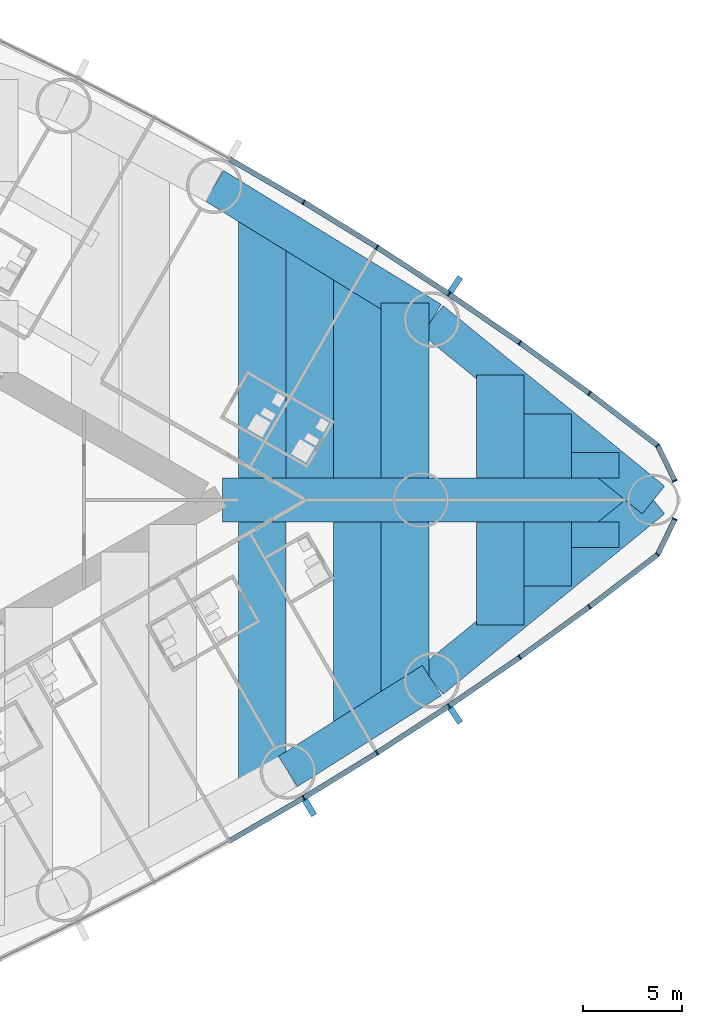
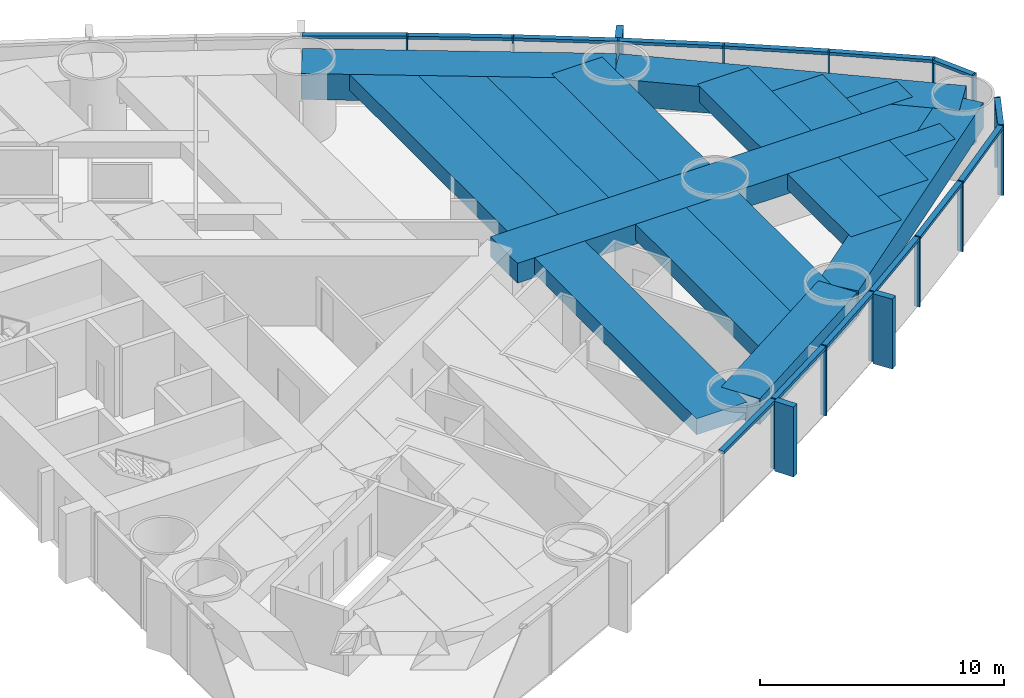
# One storey, part 8 of 18: 31 members, 18 beams, 2 elements without a shape of their own.
"""IFC4 building model written with IfcOpenShell, lengths in metres."""

import ifcopenshell
import ifcopenshell.guid

model = None  # the IFC model being written
_history = None  # IfcOwnerHistory: only IFC2X3 demands one
_inside = {}  # id of a spatial element -> (the spatial element, [elements in it])
_under = {}  # id of a project, library or spatial element -> (it, [spatial elements below it])
_declared = {}  # id of a project -> (the project, [libraries it declares])
_typed = {}  # id of a type object -> (the type object, [elements of that type])
_made_of = {}  # id of a material, layer set ... -> (it, [elements and type objects made of it])


def new_model(schema):
    """Start an empty IFC model of exactly this schema.

    Asked for "IFC4X3", IfcOpenShell would pick the latest addendum, in which some entities
    have other attributes; the version numbers below select the first issue.
    IFC2X3 requires an IfcOwnerHistory on every rooted entity: one is made here for all.
    """
    global model, _history
    if schema == "IFC4X3":
        model = ifcopenshell.file(schema_version=(4, 3, 0, 0))
    else:
        model = ifcopenshell.file(schema=schema)
    _inside.clear()
    _under.clear()
    _declared.clear()
    _typed.clear()
    _made_of.clear()
    _history = None
    if model.schema == "IFC2X3":
        org = make("IfcOrganization", Name="unknown")
        user = make(
            "IfcPersonAndOrganization",
            ThePerson=make("IfcPerson", FamilyName="unknown"),
            TheOrganization=org,
        )
        app = make(
            "IfcApplication",
            ApplicationDeveloper=org,
            Version="unknown",
            ApplicationFullName="unknown",
            ApplicationIdentifier="unknown",
        )
        _history = make(
            "IfcOwnerHistory",
            OwningUser=user,
            OwningApplication=app,
            ChangeAction="ADDED",
            CreationDate=0,
        )
    return model


def make(cls, **values):
    """One entity of the class cls with the attributes given. An attribute that is None is left unset."""
    return model.create_entity(
        cls, **{name: value for name, value in values.items() if value is not None}
    )


def rooted(cls, **values):
    """An entity with a GlobalId (a new one), such as an element, a storey or a relation."""
    return make(cls, GlobalId=ifcopenshell.guid.new(), OwnerHistory=_history, **values)


def si_unit(unit_type, name, prefix=None):
    """IfcSIUnit, for example si_unit("LENGTHUNIT", "METRE", prefix="MILLI")."""
    return make("IfcSIUnit", UnitType=unit_type, Prefix=prefix, Name=name)


def assignment(units):
    """IfcUnitAssignment: the units of a project."""
    return None if units is None else make("IfcUnitAssignment", Units=units)


def point(xyz):
    """IfcCartesianPoint."""
    return None if xyz is None else make("IfcCartesianPoint", Coordinates=xyz)


def direction(xyz):
    """IfcDirection."""
    return None if xyz is None else make("IfcDirection", DirectionRatios=xyz)


def frame(location, z_axis=None, x_axis=None):
    """IfcAxis2Placement3D, a coordinate frame: its origin and axes. An axis left out is left unset."""
    return make(
        "IfcAxis2Placement3D",
        Location=point(location),
        Axis=direction(z_axis),
        RefDirection=direction(x_axis),
    )


def frame_2d(location, x_axis=None):
    """IfcAxis2Placement2D, a coordinate frame in the plane: its origin and x axis."""
    return make(
        "IfcAxis2Placement2D", Location=point(location), RefDirection=direction(x_axis)
    )


def origin():
    """The frame at (0, 0, 0) with its axes left unset."""
    return frame((0.0, 0.0, 0.0))


def origin_2d():
    """The frame at (0, 0) in the plane with its x axis left unset."""
    return frame_2d((0.0, 0.0))


def place(relative_to, where):
    """IfcLocalPlacement: puts the frame where relative to a parent placement (None: the world)."""
    return make(
        "IfcLocalPlacement", PlacementRelTo=relative_to, RelativePlacement=where
    )


def context(
    kind, dimensions, precision=None, world=None, true_north=None, identifier=None
):
    """IfcGeometricRepresentationContext, for example the 3D "Model" context."""
    return make(
        "IfcGeometricRepresentationContext",
        ContextIdentifier=identifier,
        ContextType=kind,
        CoordinateSpaceDimension=dimensions,
        Precision=precision,
        WorldCoordinateSystem=world,
        TrueNorth=true_north,
    )


def subcontext(parent, identifier, kind, view, scale=None):
    """IfcGeometricRepresentationSubContext, for example "Body" below "Model"."""
    return make(
        "IfcGeometricRepresentationSubContext",
        ContextIdentifier=identifier,
        ContextType=kind,
        ParentContext=parent,
        TargetScale=scale,
        TargetView=view,
    )


def project(units=None, contexts=None):
    """IfcProject with its units and contexts."""
    return rooted(
        "IfcProject",
        Name="project",
        RepresentationContexts=contexts,
        UnitsInContext=assignment(units),
    )


def spatial(cls, under=None, at=None, **own):
    """A site, building, storey or space (cls), placed at a placement, below another one or the project."""
    s = rooted(cls, ObjectPlacement=at, **own)
    if under is not None:
        _under.setdefault(under.id(), (under, []))[1].append(s)
    return s


def profile(cls, at=None, kind="AREA", **sizes):
    """A parametric profile (cls). Its sizes go by their IFC names, for example OverallWidth=200.0."""
    return make(cls, ProfileType=kind, Position=at, **sizes)


def rectangle(**sizes):
    """IfcRectangleProfileDef."""
    return profile("IfcRectangleProfileDef", **sizes)


def extrude(swept, where, along, depth):
    """IfcExtrudedAreaSolid: the profile swept, set in the frame where, extruded along a direction by depth."""
    return make(
        "IfcExtrudedAreaSolid",
        SweptArea=swept,
        Position=where,
        ExtrudedDirection=direction(along),
        Depth=depth,
    )


def shape(context_of_items, identifier, shape_type, items):
    """IfcShapeRepresentation: the items that make up one representation, for example the "Body"."""
    return make(
        "IfcShapeRepresentation",
        ContextOfItems=context_of_items,
        RepresentationIdentifier=identifier,
        RepresentationType=shape_type,
        Items=items,
    )


def material(Name=None, Category=None):
    """IfcMaterial."""
    return make("IfcMaterial", Name=Name, Category=Category)


def material_profile(
    of_material, cross_section, Name=None, Category=None, Priority=None
):
    """IfcMaterialProfile: a cross section and its material."""
    return make(
        "IfcMaterialProfile",
        Name=Name,
        Material=of_material,
        Profile=cross_section,
        Priority=Priority,
        Category=Category,
    )


def profile_set(profiles, Name=None, composite=None):
    """IfcMaterialProfileSet."""
    return make(
        "IfcMaterialProfileSet",
        Name=Name,
        MaterialProfiles=profiles,
        CompositeProfile=composite,
    )


def made_of(thing, what):
    """Note that an element or type object is made of a material, layer set ...; save() writes the relation."""
    if what is not None:
        _made_of.setdefault(what.id(), (what, []))[1].append(thing)
    return thing


def type_object(cls, material=None, **own):
    """A type object (cls), such as IfcWallType, which elements share."""
    return made_of(rooted(cls, **own), material)


def element(
    cls,
    number,
    at=None,
    inside=None,
    cuts=None,
    type_object=None,
    material=None,
    context=None,
    identifier="Body",
    shape_type=None,
    held_by="IfcProductDefinitionShape",
    body=None,
    shapes=None,
    **own,
):
    """One element of the class cls, such as IfcWall. Its Tag is "e" and its number.

    at: its placement. inside: the storey or other place that contains it. cuts: it is an
    opening in that element (IfcRelVoidsElement). A single representation is given by context,
    identifier, shape_type and body (its items); several are given by shapes. held_by: the class
    of the entity that holds the representations. save() writes the other relations.
    """
    e = rooted(cls, Tag="e%d" % number, ObjectPlacement=at, **own)
    if body is not None:
        shapes = [shape(context, identifier, shape_type, body)]
    if shapes is not None:
        e.Representation = make(held_by, Representations=shapes)
    if inside is not None:
        _inside.setdefault(inside.id(), (inside, []))[1].append(e)
    if cuts is not None:
        rooted(
            "IfcRelVoidsElement", RelatingBuildingElement=cuts, RelatedOpeningElement=e
        )
    if type_object is not None:
        _typed.setdefault(type_object.id(), (type_object, []))[1].append(e)
    return made_of(e, material)


def aggregate(whole, parts):
    """IfcRelAggregates: a whole, such as a stair, and the parts it consists of."""
    return rooted("IfcRelAggregates", RelatingObject=whole, RelatedObjects=parts)


def save(model, path):
    """Write the relations noted so far, then the file.

    IfcRelAggregates (storeys below a building ...), IfcRelContainedInSpatialStructure (elements
    in a storey), IfcRelDefinesByType, IfcRelAssociatesMaterial and IfcRelDeclares: one each for
    every whole, place, type object, material and project.
    """
    for whole, parts in _under.values():
        aggregate(whole, parts)
    for where, things in _inside.values():
        rooted(
            "IfcRelContainedInSpatialStructure",
            RelatedElements=things,
            RelatingStructure=where,
        )
    for kind, things in _typed.values():
        rooted("IfcRelDefinesByType", RelatedObjects=things, RelatingType=kind)
    for what, things in _made_of.values():
        rooted("IfcRelAssociatesMaterial", RelatedObjects=things, RelatingMaterial=what)
    for by, libraries in _declared.values():
        rooted("IfcRelDeclares", RelatingContext=by, RelatedDefinitions=libraries)
    model.write(path)


model = new_model("IFC4")

# Units and contexts
model_context = context("Model", 3, precision=1e-05, world=origin(), true_north=direction((0.0, 1.0)))
body_context = subcontext(model_context, "Body", "Model", "MODEL_VIEW")
ifc_project = project(units=[si_unit("LENGTHUNIT", "METRE"), si_unit("AREAUNIT", "SQUARE_METRE"), si_unit("VOLUMEUNIT", "CUBIC_METRE"), si_unit("PLANEANGLEUNIT", "RADIAN"), si_unit("MASSUNIT", "GRAM", prefix="KILO")], contexts=[model_context])

# Site, building, storey
site_placement = place(None, origin())
site = spatial("IfcSite", under=ifc_project, at=site_placement, CompositionType="ELEMENT")
building_placement = place(site_placement, origin())
building = spatial("IfcBuilding", under=site, at=building_placement, Name="Lancet Gate Hotel", CompositionType="ELEMENT")
storey_placement = place(building_placement, frame((0.0, 0.0, 49.5)))
storey = spatial("IfcBuildingStorey", under=building, at=storey_placement, Name="L12", CompositionType="ELEMENT", Elevation=49.5)

# Curtain wall, members
ifc_material_1 = material(Name="Aluminium curtain wall", Category="aluminium")
curtain_wall_type = type_object("IfcCurtainWallType", Name="Tower unitised curtain wall", PredefinedType="USERDEFINED", material=ifc_material_1)
curtain_wall_1_placement = place(storey_placement, origin())
curtain_wall_1 = element("IfcCurtainWall", 1, at=curtain_wall_1_placement, inside=storey, type_object=curtain_wall_type, Name="T2 L12 curtain wall 2", ObjectType="UNITISED CURTAIN WALL", PredefinedType="USERDEFINED")
ifc_material_2 = material(Name="Aluminium mullion", Category="aluminium")
ifc_material_profile_1 = material_profile(ifc_material_2, rectangle(XDim=0.06494140625, YDim=0.25, at=origin_2d()), Name="MULLION 65x250")
ifc_profile_set_1 = profile_set([ifc_material_profile_1], Name="Aluminium mullion")
member_type_1 = type_object("IfcMemberType", Name="Aluminium mullion 65x250", PredefinedType="MULLION", material=ifc_profile_set_1)
member_1_placement = place(storey_placement, frame((55.590087890625, -15.03125, 0.0), z_axis=(0.0, 0.0, 1.0), x_axis=(0.858413008828, 0.512959166284, 0.0)))
member_1 = element("IfcMember", 2, at=member_1_placement, type_object=member_type_1, Name="T2 L12 curtain wall 2 mullion 8", PredefinedType="MULLION", context=body_context, shape_type="SweptSolid", body=[
    extrude(rectangle(XDim=0.06494140625, YDim=0.25, at=origin_2d()), origin(), (0.0, 0.0, 1.0), 3.5),
])
member_2_placement = place(storey_placement, frame((59.28515625, -12.7587890625, 0.0), z_axis=(0.0, 0.0, 1.0), x_axis=(0.845079420983, 0.534640788035, 0.0)))
member_2 = element("IfcMember", 3, at=member_2_placement, type_object=member_type_1, Name="T2 L12 curtain wall 2 mullion 9", PredefinedType="MULLION", context=body_context, shape_type="SweptSolid", body=[
    extrude(rectangle(XDim=0.06494140625, YDim=0.25, at=origin_2d()), origin(), (0.0, 0.0, 1.0), 3.5),
])
member_3_placement = place(storey_placement, frame((62.921142578125, -10.393310546875, 0.0), z_axis=(0.0, 0.0, 1.0), x_axis=(0.831198325377, 0.555976028162, 0.0)))
member_3 = element("IfcMember", 4, at=member_3_placement, type_object=member_type_1, Name="T2 L12 curtain wall 2 mullion 10", PredefinedType="MULLION", context=body_context, shape_type="SweptSolid", body=[
    extrude(rectangle(XDim=0.06494140625, YDim=0.25, at=origin_2d()), origin(), (0.0, 0.0, 1.0), 3.5),
])
member_4_placement = place(storey_placement, frame((66.49560546875, -7.935791015625, 0.0), z_axis=(0.0, 0.0, 1.0), x_axis=(0.816778715254, 0.576951064049, 0.0)))
member_4 = element("IfcMember", 5, at=member_4_placement, type_object=member_type_1, Name="T2 L12 curtain wall 2 mullion 11", PredefinedType="MULLION", context=body_context, shape_type="SweptSolid", body=[
    extrude(rectangle(XDim=0.06494140625, YDim=0.25, at=origin_2d()), origin(), (0.0, 0.0, 1.0), 3.5),
])
member_5_placement = place(storey_placement, frame((70.00634765625, -5.388427734375, 0.0), z_axis=(0.0, 0.0, 1.0), x_axis=(0.801829932754, 0.597552306447, 0.0)))
member_5 = element("IfcMember", 6, at=member_5_placement, type_object=member_type_1, Name="T2 L12 curtain wall 2 mullion 12", PredefinedType="MULLION", context=body_context, shape_type="SweptSolid", body=[
    extrude(rectangle(XDim=0.06494140625, YDim=0.25, at=origin_2d()), origin(), (0.0, 0.0, 1.0), 3.5),
])
member_6_placement = place(storey_placement, frame((73.451416015625, -2.752197265625, 0.0), z_axis=(0.0, 0.0, 1.0), x_axis=(0.697983022443, 0.716114306784, 0.0)))
member_6 = element("IfcMember", 7, at=member_6_placement, type_object=member_type_1, Name="T2 L12 curtain wall 2 mullion 13", PredefinedType="MULLION", context=body_context, shape_type="SweptSolid", body=[
    extrude(rectangle(XDim=0.06494140625, YDim=0.25, at=origin_2d()), origin(), (0.0, 0.0, 1.0), 3.5),
])
member_7_placement = place(storey_placement, frame((74.322265625, -0.96044921875, 0.0), z_axis=(0.0, 0.0, 1.0), x_axis=(0.437169070119, 0.899379343843, 0.0)))
member_7 = element("IfcMember", 8, at=member_7_placement, type_object=member_type_1, Name="T2 L12 curtain wall 2 mullion 14", PredefinedType="MULLION", context=body_context, shape_type="SweptSolid", body=[
    extrude(rectangle(XDim=0.06494140625, YDim=0.25, at=origin_2d()), origin(), (0.0, 0.0, 1.0), 3.5),
])

curtain_wall_2_placement = place(storey_placement, origin())
curtain_wall_2 = element("IfcCurtainWall", 9, at=curtain_wall_2_placement, inside=storey, type_object=curtain_wall_type, Name="T2 L12 curtain wall 3", ObjectType="UNITISED CURTAIN WALL", PredefinedType="USERDEFINED")
member_8_placement = place(storey_placement, frame((74.322265625, 0.96044921875, 0.0), z_axis=(0.0, 0.0, 1.0), x_axis=(-0.437169070119, 0.899379343843, 0.0)))
member_8 = element("IfcMember", 10, at=member_8_placement, type_object=member_type_1, Name="T2 L12 curtain wall 3 mullion 1", PredefinedType="MULLION", context=body_context, shape_type="SweptSolid", body=[
    extrude(rectangle(XDim=0.06494140625, YDim=0.25, at=origin_2d()), origin(), (0.0, 0.0, 1.0), 3.5),
])
member_9_placement = place(storey_placement, frame((73.451416015625, 2.752197265625, 0.0), z_axis=(0.0, 0.0, 1.0), x_axis=(-0.697983022443, 0.716114306784, 0.0)))
member_9 = element("IfcMember", 11, at=member_9_placement, type_object=member_type_1, Name="T2 L12 curtain wall 3 mullion 2", PredefinedType="MULLION", context=body_context, shape_type="SweptSolid", body=[
    extrude(rectangle(XDim=0.06494140625, YDim=0.25, at=origin_2d()), origin(), (0.0, 0.0, 1.0), 3.5),
])
member_10_placement = place(storey_placement, frame((70.00634765625, 5.388427734375, 0.0), z_axis=(0.0, 0.0, 1.0), x_axis=(-0.801829932754, 0.597552306447, 0.0)))
member_10 = element("IfcMember", 12, at=member_10_placement, type_object=member_type_1, Name="T2 L12 curtain wall 3 mullion 3", PredefinedType="MULLION", context=body_context, shape_type="SweptSolid", body=[
    extrude(rectangle(XDim=0.06494140625, YDim=0.25, at=origin_2d()), origin(), (0.0, 0.0, 1.0), 3.5),
])
member_11_placement = place(storey_placement, frame((66.49560546875, 7.935791015625, 0.0), z_axis=(0.0, 0.0, 1.0), x_axis=(-0.816778715254, 0.576951064049, 0.0)))
member_11 = element("IfcMember", 13, at=member_11_placement, type_object=member_type_1, Name="T2 L12 curtain wall 3 mullion 4", PredefinedType="MULLION", context=body_context, shape_type="SweptSolid", body=[
    extrude(rectangle(XDim=0.06494140625, YDim=0.25, at=origin_2d()), origin(), (0.0, 0.0, 1.0), 3.5),
])
member_12_placement = place(storey_placement, frame((62.921142578125, 10.393310546875, 0.0), z_axis=(0.0, 0.0, 1.0), x_axis=(-0.831198325377, 0.555976028162, 0.0)))
member_12 = element("IfcMember", 14, at=member_12_placement, type_object=member_type_1, Name="T2 L12 curtain wall 3 mullion 5", PredefinedType="MULLION", context=body_context, shape_type="SweptSolid", body=[
    extrude(rectangle(XDim=0.06494140625, YDim=0.25, at=origin_2d()), origin(), (0.0, 0.0, 1.0), 3.5),
])
member_13_placement = place(storey_placement, frame((59.28515625, 12.7587890625, 0.0), z_axis=(0.0, 0.0, 1.0), x_axis=(-0.845079420983, 0.534640788035, 0.0)))
member_13 = element("IfcMember", 15, at=member_13_placement, type_object=member_type_1, Name="T2 L12 curtain wall 3 mullion 6", PredefinedType="MULLION", context=body_context, shape_type="SweptSolid", body=[
    extrude(rectangle(XDim=0.06494140625, YDim=0.25, at=origin_2d()), origin(), (0.0, 0.0, 1.0), 3.5),
])
member_14_placement = place(storey_placement, frame((55.590087890625, 15.03125, 0.0), z_axis=(0.0, 0.0, 1.0), x_axis=(-0.858413008828, 0.512959166284, 0.0)))
member_14 = element("IfcMember", 16, at=member_14_placement, type_object=member_type_1, Name="T2 L12 curtain wall 3 mullion 7", PredefinedType="MULLION", context=body_context, shape_type="SweptSolid", body=[
    extrude(rectangle(XDim=0.06494140625, YDim=0.25, at=origin_2d()), origin(), (0.0, 0.0, 1.0), 3.5),
])

# Member
ifc_material_3 = material(Name="Aluminium transom", Category="aluminium")
ifc_material_profile_2 = material_profile(ifc_material_3, rectangle(XDim=0.25, YDim=0.14990234375, at=origin_2d()), Name="TRANSOM 250x150")
ifc_profile_set_2 = profile_set([ifc_material_profile_2], Name="Aluminium transom")
member_type_2 = type_object("IfcMemberType", Name="Aluminium transom 250x150", PredefinedType="USERDEFINED", material=ifc_profile_set_2)
member_15_placement = place(storey_placement, frame((51.86669921875, -17.1923828125, 3.425048828125), z_axis=(0.864854571156, 0.502022480324, 0.0), x_axis=(-0.502022480324, 0.864854571156, 0.0)))
member_15 = element("IfcMember", 17, at=member_15_placement, type_object=member_type_2, Name="T2 L12 curtain wall 2 transom 7", ObjectType="TRANSOM", PredefinedType="USERDEFINED", context=body_context, shape_type="SweptSolid", body=[
    extrude(rectangle(XDim=0.25, YDim=0.14990234375, at=origin_2d()), origin(), (0.0, 0.0, 1.0), 4.272705078125),
])

member_16_placement = place(storey_placement, frame((55.617919921875, -15.01416015625, 3.425048828125), z_axis=(0.851815224451, 0.523842365023, 0.0), x_axis=(-0.523842365023, 0.851815224451, 0.0)))
member_16 = element("IfcMember", 18, at=member_16_placement, type_object=member_type_2, Name="T2 L12 curtain wall 2 transom 8", ObjectType="TRANSOM", PredefinedType="USERDEFINED", context=body_context, shape_type="SweptSolid", body=[
    extrude(rectangle(XDim=0.25, YDim=0.14990234375, at=origin_2d()), origin(), (0.0, 0.0, 1.0), 4.272705078125),
])

member_17_placement = place(storey_placement, frame((59.3125, -12.7412109375, 3.425048828125), z_axis=(0.83817850664, 0.545395994674, 0.0), x_axis=(-0.545395994674, 0.83817850664, 0.0)))
member_17 = element("IfcMember", 19, at=member_17_placement, type_object=member_type_2, Name="T2 L12 curtain wall 2 transom 9", ObjectType="TRANSOM", PredefinedType="USERDEFINED", context=body_context, shape_type="SweptSolid", body=[
    extrude(rectangle(XDim=0.25, YDim=0.14990234375, at=origin_2d()), origin(), (0.0, 0.0, 1.0), 4.272705078125),
])

member_18_placement = place(storey_placement, frame((62.94775390625, -10.374755859375, 3.425048828125), z_axis=(0.824071932869, 0.566485171437, 0.0), x_axis=(-0.566485171437, 0.824071932869, 0.0)))
member_18 = element("IfcMember", 20, at=member_18_placement, type_object=member_type_2, Name="T2 L12 curtain wall 2 transom 10", ObjectType="TRANSOM", PredefinedType="USERDEFINED", context=body_context, shape_type="SweptSolid", body=[
    extrude(rectangle(XDim=0.25, YDim=0.14990234375, at=origin_2d()), origin(), (0.0, 0.0, 1.0), 4.272705078125),
])

member_19_placement = place(storey_placement, frame((66.52197265625, -7.916748046875, 3.425048828125), z_axis=(0.809382971085, 0.587281198505, 0.0), x_axis=(-0.587281198505, 0.809382971085, 0.0)))
member_19 = element("IfcMember", 21, at=member_19_placement, type_object=member_type_2, Name="T2 L12 curtain wall 2 transom 11", ObjectType="TRANSOM", PredefinedType="USERDEFINED", context=body_context, shape_type="SweptSolid", body=[
    extrude(rectangle(XDim=0.25, YDim=0.14990234375, at=origin_2d()), origin(), (0.0, 0.0, 1.0), 4.272705078125),
])

member_20_placement = place(storey_placement, frame((70.0322265625, -5.36865234375, 3.425048828125), z_axis=(0.794155062652, 0.607715177089, 0.0), x_axis=(-0.607715177089, 0.794155062652, 0.0)))
member_20 = element("IfcMember", 22, at=member_20_placement, type_object=member_type_2, Name="T2 L12 curtain wall 2 transom 12", ObjectType="TRANSOM", PredefinedType="USERDEFINED", context=body_context, shape_type="SweptSolid", body=[
    extrude(rectangle(XDim=0.25, YDim=0.14990234375, at=origin_2d()), origin(), (0.0, 0.0, 1.0), 4.27294921875),
])

member_21_placement = place(storey_placement, frame((73.465576171875, -2.72314453125, 3.425048828125), z_axis=(0.437103060611, 0.899411426659, 0.0), x_axis=(-0.899411426659, 0.437103060611, 0.0)))
member_21 = element("IfcMember", 23, at=member_21_placement, type_object=member_type_2, Name="T2 L12 curtain wall 2 transom 13", ObjectType="TRANSOM", PredefinedType="USERDEFINED", context=body_context, shape_type="SweptSolid", body=[
    extrude(rectangle(XDim=0.25, YDim=0.14990234375, at=origin_2d()), origin(), (0.0, 0.0, 1.0), 1.927490234375),
])

member_22_placement = place(storey_placement, frame((74.30810546875, 0.989501953125, 3.425048828125), z_axis=(-0.437103060611, 0.899411426659, 0.0), x_axis=(-0.899411426659, -0.437103060611, 0.0)))
member_22 = element("IfcMember", 24, at=member_22_placement, type_object=member_type_2, Name="T2 L12 curtain wall 3 transom 1", ObjectType="TRANSOM", PredefinedType="USERDEFINED", context=body_context, shape_type="SweptSolid", body=[
    extrude(rectangle(XDim=0.25, YDim=0.14990234375, at=origin_2d()), origin(), (0.0, 0.0, 1.0), 1.927490234375),
])

member_23_placement = place(storey_placement, frame((73.425537109375, 2.77197265625, 3.425048828125), z_axis=(-0.794155062652, 0.607715177089, 0.0), x_axis=(-0.607715177089, -0.794155062652, 0.0)))
member_23 = element("IfcMember", 25, at=member_23_placement, type_object=member_type_2, Name="T2 L12 curtain wall 3 transom 2", ObjectType="TRANSOM", PredefinedType="USERDEFINED", context=body_context, shape_type="SweptSolid", body=[
    extrude(rectangle(XDim=0.25, YDim=0.14990234375, at=origin_2d()), origin(), (0.0, 0.0, 1.0), 4.27294921875),
])

member_24_placement = place(storey_placement, frame((69.980224609375, 5.407470703125, 3.425048828125), z_axis=(-0.809382971085, 0.587281198505, 0.0), x_axis=(-0.587281198505, -0.809382971085, 0.0)))
member_24 = element("IfcMember", 26, at=member_24_placement, type_object=member_type_2, Name="T2 L12 curtain wall 3 transom 3", ObjectType="TRANSOM", PredefinedType="USERDEFINED", context=body_context, shape_type="SweptSolid", body=[
    extrude(rectangle(XDim=0.25, YDim=0.14990234375, at=origin_2d()), origin(), (0.0, 0.0, 1.0), 4.272705078125),
])

member_25_placement = place(storey_placement, frame((66.46875, 7.954345703125, 3.425048828125), z_axis=(-0.824071932869, 0.566485171437, 0.0), x_axis=(-0.566485171437, -0.824071932869, 0.0)))
member_25 = element("IfcMember", 27, at=member_25_placement, type_object=member_type_2, Name="T2 L12 curtain wall 3 transom 4", ObjectType="TRANSOM", PredefinedType="USERDEFINED", context=body_context, shape_type="SweptSolid", body=[
    extrude(rectangle(XDim=0.25, YDim=0.14990234375, at=origin_2d()), origin(), (0.0, 0.0, 1.0), 4.272705078125),
])

member_26_placement = place(storey_placement, frame((62.893798828125, 10.410888671875, 3.425048828125), z_axis=(-0.83817850664, 0.545395994674, 0.0), x_axis=(-0.545395994674, -0.83817850664, 0.0)))
member_26 = element("IfcMember", 28, at=member_26_placement, type_object=member_type_2, Name="T2 L12 curtain wall 3 transom 5", ObjectType="TRANSOM", PredefinedType="USERDEFINED", context=body_context, shape_type="SweptSolid", body=[
    extrude(rectangle(XDim=0.25, YDim=0.14990234375, at=origin_2d()), origin(), (0.0, 0.0, 1.0), 4.272705078125),
])

member_27_placement = place(storey_placement, frame((59.257568359375, 12.77587890625, 3.425048828125), z_axis=(-0.851815224451, 0.523842365023, 0.0), x_axis=(-0.523842365023, -0.851815224451, 0.0)))
member_27 = element("IfcMember", 29, at=member_27_placement, type_object=member_type_2, Name="T2 L12 curtain wall 3 transom 6", ObjectType="TRANSOM", PredefinedType="USERDEFINED", context=body_context, shape_type="SweptSolid", body=[
    extrude(rectangle(XDim=0.25, YDim=0.14990234375, at=origin_2d()), origin(), (0.0, 0.0, 1.0), 4.272705078125),
])

member_28_placement = place(storey_placement, frame((55.56201171875, 15.04736328125, 3.425048828125), z_axis=(-0.864854571156, 0.502022480324, 0.0), x_axis=(-0.502022480324, -0.864854571156, 0.0)))
member_28 = element("IfcMember", 30, at=member_28_placement, type_object=member_type_2, Name="T2 L12 curtain wall 3 transom 7", ObjectType="TRANSOM", PredefinedType="USERDEFINED", context=body_context, shape_type="SweptSolid", body=[
    extrude(rectangle(XDim=0.25, YDim=0.14990234375, at=origin_2d()), origin(), (0.0, 0.0, 1.0), 4.272705078125),
])

# Beams
ifc_material_4 = material(Name="Concrete C50/60", Category="concrete")
ifc_material_profile_3 = material_profile(ifc_material_4, rectangle(XDim=1.800048828125, YDim=1.300048828125, at=origin_2d()), Name="RC 1800x1300")
ifc_profile_set_3 = profile_set([ifc_material_profile_3], Name="Concrete C50/60")
beam_type_1 = type_object("IfcBeamType", Name="Edge beam RC 1800x1300", PredefinedType="SPANDREL", material=ifc_profile_set_3)
beam_1_placement = place(storey_placement, frame((54.795166015625, -13.70068359375, 2.60009765625), z_axis=(0.845078312276, 0.534642540508, 0.0), x_axis=(-0.534642540508, 0.845078312276, 0.0)))
element("IfcBeam", 31, at=beam_1_placement, inside=storey, type_object=beam_type_1, Name="T2 edge beam EB1 L12", PredefinedType="SPANDREL", context=body_context, shape_type="SweptSolid", body=[
    extrude(rectangle(XDim=1.800048828125, YDim=1.300048828125, at=origin_2d()), origin(), (0.0, 0.0, 1.0), 8.595947265625),
])
for number, where, z_axis, x_axis, name in (
    (32, (62.059326171875, -9.10498046875, 2.60009765625), (0.775390970005, 0.631481467372, 0.0), (-0.631481467372, 0.775390970005, 0.0), "T2 edge beam EB1 L12"),
    (33, (73.2392578125, 0.0, 2.60009765625), (-0.775390970005, 0.631481467372, 0.0), (-0.631481467372, -0.775390970005, 0.0), "T2 edge beam EB1 L12"),
):
    element("IfcBeam", number, at=place(storey_placement, frame(where, z_axis=z_axis, x_axis=x_axis)), inside=storey, type_object=beam_type_1, Name=name, PredefinedType="SPANDREL", context=body_context, shape_type="SweptSolid", body=[
        extrude(rectangle(XDim=1.800048828125, YDim=1.300048828125, at=origin_2d()), origin(), (0.0, 0.0, 1.0), 14.41845703125),
    ])
beam_2_placement = place(storey_placement, frame((62.059326171875, 9.10498046875, 2.60009765625), z_axis=(-0.851815628025, 0.523841708775, 0.0), x_axis=(-0.523841708775, -0.851815628025, 0.0)))
element("IfcBeam", 34, at=beam_2_placement, inside=storey, type_object=beam_type_1, Name="T2 edge beam EB1 L12", PredefinedType="SPANDREL", context=body_context, shape_type="SweptSolid", body=[
    extrude(rectangle(XDim=1.800048828125, YDim=1.300048828125, at=origin_2d()), origin(), (0.0, 0.0, 1.0), 12.89208984375),
])

# Member
ifc_material_5 = material(Name="Precast concrete C50/60", Category="concrete")
ifc_material_profile_4 = material_profile(ifc_material_5, rectangle(XDim=0.300048828125, YDim=0.89990234375, at=origin_2d()), Name="FIN 300x900")
ifc_profile_set_4 = profile_set([ifc_material_profile_4], Name="Precast concrete C50/60")
member_type_3 = type_object("IfcMemberType", Name="Exposed concrete fin 300x900", PredefinedType="USERDEFINED", material=ifc_profile_set_4)
member_29_placement = place(storey_placement, frame((55.88525390625, -15.524658203125, 0.0), z_axis=(0.0, 0.0, 1.0), x_axis=(0.858413008828, 0.512959166284, 0.0)))
member_29 = element("IfcMember", 35, at=member_29_placement, type_object=member_type_3, Name="T2 L12 curtain wall 2 fin 8", ObjectType="FIN", PredefinedType="USERDEFINED", context=body_context, shape_type="SweptSolid", body=[
    extrude(rectangle(XDim=0.300048828125, YDim=0.89990234375, at=origin_2d()), origin(), (0.0, 0.0, 1.0), 3.5),
])

member_30_placement = place(storey_placement, frame((63.24072265625, -10.87109375, 0.0), z_axis=(0.0, 0.0, 1.0), x_axis=(0.831198325377, 0.555976028162, 0.0)))
member_30 = element("IfcMember", 36, at=member_30_placement, type_object=member_type_3, Name="T2 L12 curtain wall 2 fin 10", ObjectType="FIN", PredefinedType="USERDEFINED", context=body_context, shape_type="SweptSolid", body=[
    extrude(rectangle(XDim=0.300048828125, YDim=0.89990234375, at=origin_2d()), origin(), (0.0, 0.0, 1.0), 3.5),
])

aggregate(curtain_wall_1, [member_1, member_29, member_2, member_3, member_30, member_4, member_5, member_6, member_7, member_15, member_16, member_17, member_18, member_19, member_20, member_21])

member_31_placement = place(storey_placement, frame((63.24072265625, 10.87109375, 0.0), z_axis=(0.0, 0.0, 1.0), x_axis=(-0.831198325377, 0.555976028162, 0.0)))
member_31 = element("IfcMember", 37, at=member_31_placement, type_object=member_type_3, Name="T2 L12 curtain wall 3 fin 5", ObjectType="FIN", PredefinedType="USERDEFINED", context=body_context, shape_type="SweptSolid", body=[
    extrude(rectangle(XDim=0.300048828125, YDim=0.89990234375, at=origin_2d()), origin(), (0.0, 0.0, 1.0), 3.5),
])

aggregate(curtain_wall_2, [member_8, member_9, member_10, member_11, member_12, member_31, member_13, member_14, member_22, member_23, member_24, member_25, member_26, member_27, member_28])

# Beams
ifc_material_6 = material(Name="Concrete C50/60", Category="concrete")
ifc_material_profile_5 = material_profile(ifc_material_6, rectangle(XDim=2.39990234375, YDim=0.800048828125, at=origin_2d()), Name="RC 2400x800")
ifc_profile_set_5 = profile_set([ifc_material_profile_5], Name="Concrete C50/60")
beam_type_2 = type_object("IfcBeamType", Name="Floor beam RC 2400x800", PredefinedType="BEAM", material=ifc_profile_set_5)
beam_3_placement = place(storey_placement, frame((53.502197265625, -14.40771484375, 2.85009765625), z_axis=(0.0, 1.0, 0.0), x_axis=(-1.0, 0.0, 0.0)))
element("IfcBeam", 38, at=beam_3_placement, inside=storey, type_object=beam_type_2, Name="T2 floor beam F16S L12", PredefinedType="BEAM", context=body_context, shape_type="SweptSolid", body=[
    extrude(rectangle(XDim=2.39990234375, YDim=0.800048828125, at=origin_2d()), origin(), (0.0, 0.0, 1.0), 13.3076171875),
])
beam_4_placement = place(storey_placement, frame((53.502197265625, 1.10009765625, 2.85009765625), z_axis=(0.0, 1.0, 0.0), x_axis=(-1.0, 0.0, 0.0)))
element("IfcBeam", 39, at=beam_4_placement, inside=storey, type_object=beam_type_2, Name="T2 floor beam F17N L12", PredefinedType="BEAM", context=body_context, shape_type="SweptSolid", body=[
    extrude(rectangle(XDim=2.39990234375, YDim=0.800048828125, at=origin_2d()), origin(), (0.0, 0.0, 1.0), 13.26708984375),
])
beam_5_placement = place(storey_placement, frame((55.90234375, 1.10009765625, 2.85009765625), z_axis=(0.0, 1.0, 0.0), x_axis=(-1.0, 0.0, 0.0)))
element("IfcBeam", 40, at=beam_5_placement, inside=storey, type_object=beam_type_2, Name="T2 floor beam F18N L12", PredefinedType="BEAM", context=body_context, shape_type="SweptSolid", body=[
    extrude(rectangle(XDim=2.39990234375, YDim=0.800048828125, at=origin_2d()), origin(), (0.0, 0.0, 1.0), 11.791259765625),
])
beam_6_placement = place(storey_placement, frame((58.30224609375, -11.48193359375, 2.85009765625), z_axis=(0.0, 1.0, 0.0), x_axis=(-1.0, 0.0, 0.0)))
element("IfcBeam", 41, at=beam_6_placement, inside=storey, type_object=beam_type_2, Name="T2 floor beam F19S L12", PredefinedType="BEAM", context=body_context, shape_type="SweptSolid", body=[
    extrude(rectangle(XDim=2.39990234375, YDim=0.800048828125, at=origin_2d()), origin(), (0.0, 0.0, 1.0), 10.3818359375),
])
beam_7_placement = place(storey_placement, frame((58.30224609375, 1.10009765625, 2.85009765625), z_axis=(0.0, 1.0, 0.0), x_axis=(-1.0, 0.0, 0.0)))
element("IfcBeam", 42, at=beam_7_placement, inside=storey, type_object=beam_type_2, Name="T2 floor beam F20N L12", PredefinedType="BEAM", context=body_context, shape_type="SweptSolid", body=[
    extrude(rectangle(XDim=2.39990234375, YDim=0.800048828125, at=origin_2d()), origin(), (0.0, 0.0, 1.0), 10.3154296875),
])
beam_8_placement = place(storey_placement, frame((60.7021484375, -9.96337890625, 2.85009765625), z_axis=(0.0, 1.0, 0.0), x_axis=(-1.0, 0.0, 0.0)))
element("IfcBeam", 43, at=beam_8_placement, inside=storey, type_object=beam_type_2, Name="T2 floor beam F21S L12", PredefinedType="BEAM", context=body_context, shape_type="SweptSolid", body=[
    extrude(rectangle(XDim=2.39990234375, YDim=0.800048828125, at=origin_2d()), origin(), (0.0, 0.0, 1.0), 8.86328125),
])
beam_9_placement = place(storey_placement, frame((60.7021484375, 1.10009765625, 2.85009765625), z_axis=(0.0, 1.0, 0.0), x_axis=(-1.0, 0.0, 0.0)))
element("IfcBeam", 44, at=beam_9_placement, inside=storey, type_object=beam_type_2, Name="T2 floor beam F22N L12", PredefinedType="BEAM", context=body_context, shape_type="SweptSolid", body=[
    extrude(rectangle(XDim=2.39990234375, YDim=0.800048828125, at=origin_2d()), origin(), (0.0, 0.0, 1.0), 8.83935546875),
])
for number, where, z_axis, x_axis, name in (
    (45, (65.502197265625, -6.301025390625, 2.85009765625), (0.0, 1.0, 0.0), (-1.0, 0.0, 0.0), "T2 floor beam F23S L12"),
    (46, (65.502197265625, 1.10009765625, 2.85009765625), (0.0, 1.0, 0.0), (-1.0, 0.0, 0.0), "T2 floor beam F24N L12"),
):
    element("IfcBeam", number, at=place(storey_placement, frame(where, z_axis=z_axis, x_axis=x_axis)), inside=storey, type_object=beam_type_2, Name=name, PredefinedType="BEAM", context=body_context, shape_type="SweptSolid", body=[
        extrude(rectangle(XDim=2.39990234375, YDim=0.800048828125, at=origin_2d()), origin(), (0.0, 0.0, 1.0), 5.200927734375),
    ])
for number, where, z_axis, x_axis, name in (
    (47, (67.90234375, -4.346435546875, 2.85009765625), (0.0, 1.0, 0.0), (-1.0, 0.0, 0.0), "T2 floor beam F25S L12"),
    (48, (67.90234375, 1.10009765625, 2.85009765625), (0.0, 1.0, 0.0), (-1.0, 0.0, 0.0), "T2 floor beam F26N L12"),
):
    element("IfcBeam", number, at=place(storey_placement, frame(where, z_axis=z_axis, x_axis=x_axis)), inside=storey, type_object=beam_type_2, Name=name, PredefinedType="BEAM", context=body_context, shape_type="SweptSolid", body=[
        extrude(rectangle(XDim=2.39990234375, YDim=0.800048828125, at=origin_2d()), origin(), (0.0, 0.0, 1.0), 3.246337890625),
    ])
for number, where, z_axis, x_axis, name in (
    (49, (70.30224609375, -2.391845703125, 2.85009765625), (0.0, 1.0, 0.0), (-1.0, 0.0, 0.0), "T2 floor beam F27S L12"),
    (50, (70.30224609375, 1.10009765625, 2.85009765625), (0.0, 1.0, 0.0), (-1.0, 0.0, 0.0), "T2 floor beam F28N L12"),
):
    element("IfcBeam", number, at=place(storey_placement, frame(where, z_axis=z_axis, x_axis=x_axis)), inside=storey, type_object=beam_type_2, Name=name, PredefinedType="BEAM", context=body_context, shape_type="SweptSolid", body=[
        extrude(rectangle(XDim=2.39990234375, YDim=0.800048828125, at=origin_2d()), origin(), (0.0, 0.0, 1.0), 1.291748046875),
    ])
ifc_material_7 = material(Name="Concrete C50/60", Category="concrete")
ifc_material_profile_6 = material_profile(ifc_material_7, rectangle(XDim=2.199951171875, YDim=1.0, at=origin_2d()), Name="RC 2200x1000")
ifc_profile_set_6 = profile_set([ifc_material_profile_6], Name="Concrete C50/60")
beam_type_3 = type_object("IfcBeamType", Name="Radial floor beam RC 2200x1000", PredefinedType="BEAM", material=ifc_profile_set_6)
beam_10_placement = place(storey_placement, frame((73.2392578125, 0.0, 2.75), z_axis=(-1.0, 0.0, 0.0), x_axis=(0.0, -1.0, 0.0)))
element("IfcBeam", 51, at=beam_10_placement, inside=storey, type_object=beam_type_3, Name="T2 radial beam CA L12", PredefinedType="BEAM", context=body_context, shape_type="SweptSolid", body=[
    extrude(rectangle(XDim=2.199951171875, YDim=1.0, at=origin_2d()), origin(), (0.0, 0.0, 1.0), 21.737060546875),
])

save(model, "model.ifc")
